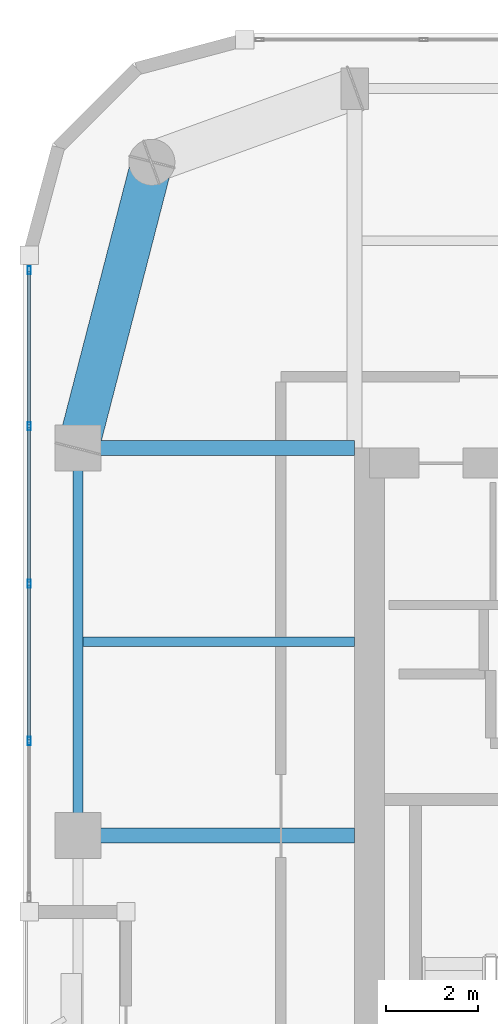
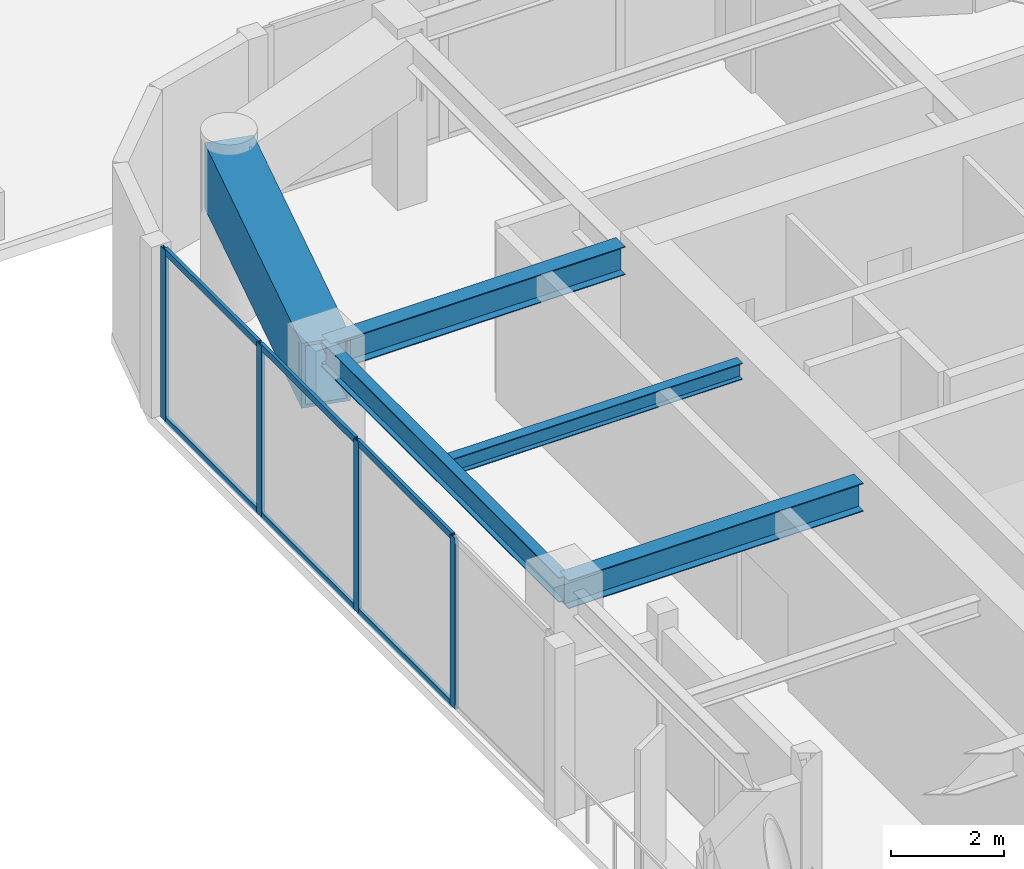
# One storey, part 4 of 16: 10 members, 5 beams, 1 element without a shape of its own.
"""IFC4 building model written with IfcOpenShell, lengths in metres."""

from ifc_helpers import new_model, si_unit, direction, frame, origin, origin_2d, place, context, subcontext, project, spatial, hollow_rectangle, i_section, extrude, material, layer, layer_set, material_profile, profile_set, type_object, element, aggregate, save


model = new_model("IFC4")

# Units and contexts
model_context = context("Model", 3, precision=1e-05, world=origin(), true_north=direction((0.0, 1.0)))
body_context = subcontext(model_context, "Body", "Model", "MODEL_VIEW")
ifc_project = project(units=[si_unit("LENGTHUNIT", "METRE"), si_unit("AREAUNIT", "SQUARE_METRE"), si_unit("VOLUMEUNIT", "CUBIC_METRE"), si_unit("PLANEANGLEUNIT", "RADIAN"), si_unit("MASSUNIT", "GRAM", prefix="KILO")], contexts=[model_context])

# Site, building, storey
site_placement = place(None, origin())
site = spatial("IfcSite", under=ifc_project, at=site_placement, CompositionType="ELEMENT")
building_placement = place(site_placement, origin())
building = spatial("IfcBuilding", under=site, at=building_placement, Name="Kiyonajd Concourse Tower", CompositionType="ELEMENT")
storey_placement = place(building_placement, frame((0.0, 0.0, 255.0)))
storey = spatial("IfcBuildingStorey", under=building, at=storey_placement, Name="L64", CompositionType="ELEMENT", Elevation=255.0)

# Beams
ifc_material_1 = material(Name="Steel ASTM A992 Grade 50", Category="steel")
ifc_material_profile_1 = material_profile(ifc_material_1, i_section(OverallWidth=0.205078125, OverallDepth=0.35400390625, WebThickness=0.009521484375, FlangeThickness=0.016845703125, at=origin_2d()), Name="W360X79")
ifc_profile_set_1 = profile_set([ifc_material_profile_1], Name="Steel ASTM A992 Grade 50")
beam_type_1 = type_object("IfcBeamType", Name="BM-JST-360", PredefinedType="JOIST", material=ifc_profile_set_1)
beam_1_placement = place(storey_placement, frame((26.505615234375, 40.199951171875, 3.5029296875), z_axis=(1.0, 0.0, 0.0), x_axis=(0.0, 1.0, 0.0)))
element("IfcBeam", 1, at=beam_1_placement, inside=storey, type_object=beam_type_1, Name="L64 West Secondary Floor Joist", PredefinedType="JOIST", context=body_context, shape_type="SweptSolid", body=[
    extrude(i_section(OverallWidth=0.205078125, OverallDepth=0.35400390625, WebThickness=0.009521484375, FlangeThickness=0.016845703125, at=origin_2d()), origin(), (0.0, 0.0, 1.0), 5.894287109375),
])
ifc_material_profile_2 = material_profile(ifc_material_1, i_section(OverallWidth=0.2109375, OverallDepth=0.5390625, WebThickness=0.01171875, FlangeThickness=0.018798828125, at=origin_2d()), Name="W530X109")
ifc_profile_set_2 = profile_set([ifc_material_profile_2], Name="Steel ASTM A992 Grade 50")
beam_type_2 = type_object("IfcBeamType", Name="BM-SPAN-530B", PredefinedType="SPANDREL", material=ifc_profile_set_2)
beam_2_placement = place(storey_placement, frame((26.39990234375, 44.39990234375, 3.410400390625), z_axis=(0.0, -1.0, 0.0), x_axis=(1.0, 0.0, 0.0)))
element("IfcBeam", 2, at=beam_2_placement, inside=storey, type_object=beam_type_2, Name="L64 Perimeter Bundled Tube Spandrel", PredefinedType="SPANDREL", context=body_context, shape_type="SweptSolid", body=[
    extrude(i_section(OverallWidth=0.2109375, OverallDepth=0.5390625, WebThickness=0.01171875, FlangeThickness=0.018798828125, at=origin_2d()), origin(), (0.0, 0.0, 1.0), 8.39990234375),
])
ifc_material_profile_3 = material_profile(ifc_material_1, i_section(OverallWidth=0.323974609375, OverallDepth=0.611083984375, WebThickness=0.0126953125, FlangeThickness=0.01904296875, at=origin_2d()), Name="W610X155")
ifc_profile_set_3 = profile_set([ifc_material_profile_3], Name="Steel ASTM A992 Grade 50")
beam_type_3 = type_object("IfcBeamType", Name="BM-TWR-610B", PredefinedType="BEAM", material=ifc_profile_set_3)
for number, where, z_axis, x_axis, name in (
    (3, (26.39990234375, 36.0, 3.37451171875), (1.0, 0.0, 0.0), (0.0, 1.0, 0.0), "L64 West Lease Girder"),
    (4, (26.39990234375, 44.39990234375, 3.37451171875), (1.0, 0.0, 0.0), (0.0, 1.0, 0.0), "L64 West Lease Girder"),
):
    element("IfcBeam", number, at=place(storey_placement, frame(where, z_axis=z_axis, x_axis=x_axis)), inside=storey, type_object=beam_type_3, Name=name, PredefinedType="BEAM", context=body_context, shape_type="SweptSolid", body=[
        extrude(i_section(OverallWidth=0.323974609375, OverallDepth=0.611083984375, WebThickness=0.0126953125, FlangeThickness=0.01904296875, at=origin_2d()), origin(), (0.0, 0.0, 1.0), 6.0),
    ])
ifc_material_2 = material(Name="Steel ASTM A572 Grade 50", Category="steel")
ifc_material_profile_4 = material_profile(ifc_material_2, hollow_rectangle(XDim=0.89990234375, YDim=1.39990234375, WallThickness=0.070068359375, at=origin_2d()), Name="BOX-1400x900x70")
ifc_profile_set_4 = profile_set([ifc_material_profile_4], Name="Steel ASTM A572 Grade 50")
beam_type_4 = type_object("IfcBeamType", Name="BM-XFER-1400", PredefinedType="BEAM", material=ifc_profile_set_4)
beam_3_placement = place(storey_placement, frame((28.0, 50.60009765625, 2.97998046875), z_axis=(-0.249884937687, -0.968275538221, 0.0), x_axis=(0.968275538221, -0.249884937687, 0.0)))
element("IfcBeam", 5, at=beam_3_placement, inside=storey, type_object=beam_type_4, Name="L64 Perimeter Bundled Tube Spandrel", PredefinedType="BEAM", context=body_context, shape_type="SweptSolid", body=[
    extrude(hollow_rectangle(XDim=0.89990234375, YDim=1.39990234375, WallThickness=0.070068359375, at=origin_2d()), origin(), (0.0, 0.0, 1.0), 6.4033203125),
])

# Curtain wall, members
ifc_material_3 = material(Name="Thermally Broken Anodised Aluminium", Category="aluminium")
ifc_layer = layer(ifc_material_3, 0.179931640625)
ifc_layer_set = layer_set([ifc_layer], Name="Thermally Broken Anodised Aluminium")
curtain_wall_type = type_object("IfcCurtainWallType", Name="CW-SYS-04", PredefinedType="NOTDEFINED", material=ifc_layer_set)
curtain_wall_placement = place(storey_placement, origin())
curtain_wall = element("IfcCurtainWall", 6, at=curtain_wall_placement, inside=storey, type_object=curtain_wall_type, Name="L64 Unitised Curtain Wall CW4", PredefinedType="NOTDEFINED")
ifc_material_profile_5 = material_profile(ifc_material_3, hollow_rectangle(XDim=0.06494140625, YDim=0.179931640625, WallThickness=0.00390625, at=origin_2d()), Name="MULL-65x180")
ifc_profile_set_5 = profile_set([ifc_material_profile_5], Name="Thermally Broken Anodised Aluminium")
member_type_1 = type_object("IfcMemberType", Name="MB-CW-MULL1", PredefinedType="MULLION", material=ifc_profile_set_5)
member_1_placement = place(storey_placement, frame((25.340087890625, 38.04541015625, 0.0), z_axis=(0.0, 0.0, 1.0), x_axis=(-1.0, 0.0, 0.0)))
member_1 = element("IfcMember", 7, at=member_1_placement, type_object=member_type_1, Name="CW4 mullion 2", PredefinedType="MULLION", context=body_context, shape_type="SweptSolid", body=[
    extrude(hollow_rectangle(XDim=0.06494140625, YDim=0.179931640625, WallThickness=0.00390625, at=origin_2d()), origin(), (0.0, 0.0, 1.0), 3.679931640625),
])
member_2_placement = place(storey_placement, frame((25.340087890625, 41.460693359375, 0.0), z_axis=(0.0, 0.0, 1.0), x_axis=(-1.0, 0.0, 0.0)))
member_2 = element("IfcMember", 8, at=member_2_placement, type_object=member_type_1, Name="CW4 mullion 3", PredefinedType="MULLION", context=body_context, shape_type="SweptSolid", body=[
    extrude(hollow_rectangle(XDim=0.06494140625, YDim=0.179931640625, WallThickness=0.00390625, at=origin_2d()), origin(), (0.0, 0.0, 1.0), 3.679931640625),
])
member_3_placement = place(storey_placement, frame((25.340087890625, 44.876220703125, 0.0), z_axis=(0.0, 0.0, 1.0), x_axis=(-1.0, 0.0, 0.0)))
member_3 = element("IfcMember", 9, at=member_3_placement, type_object=member_type_1, Name="CW4 mullion 4", PredefinedType="MULLION", context=body_context, shape_type="SweptSolid", body=[
    extrude(hollow_rectangle(XDim=0.06494140625, YDim=0.179931640625, WallThickness=0.00390625, at=origin_2d()), origin(), (0.0, 0.0, 1.0), 3.679931640625),
])
member_4_placement = place(storey_placement, frame((25.340087890625, 48.259033203125, 0.0), z_axis=(0.0, 0.0, 1.0), x_axis=(-1.0, 0.0, 0.0)))
member_4 = element("IfcMember", 10, at=member_4_placement, type_object=member_type_1, Name="CW4 mullion 5", PredefinedType="MULLION", context=body_context, shape_type="SweptSolid", body=[
    extrude(hollow_rectangle(XDim=0.06494140625, YDim=0.179931640625, WallThickness=0.00390625, at=origin_2d()), origin(), (0.0, 0.0, 1.0), 3.679931640625),
])
ifc_material_profile_6 = material_profile(ifc_material_3, hollow_rectangle(XDim=0.06494140625, YDim=0.139892578125, WallThickness=0.00390625, at=origin_2d()), Name="TRAN-65x140")
ifc_profile_set_6 = profile_set([ifc_material_profile_6], Name="Thermally Broken Anodised Aluminium")
member_type_2 = type_object("IfcMemberType", Name="MB-CW-TRAN1", PredefinedType="USERDEFINED", material=ifc_profile_set_6)
member_5_placement = place(storey_placement, frame((25.340087890625, 38.077880859375, 0.032470703125), z_axis=(0.0, 1.0, 0.0), x_axis=(-1.0, 0.0, 0.0)))
member_5 = element("IfcMember", 11, at=member_5_placement, type_object=member_type_2, Name="CW4 transom 2.1", ObjectType="TRANSOM", PredefinedType="USERDEFINED", context=body_context, shape_type="SweptSolid", body=[
    extrude(hollow_rectangle(XDim=0.06494140625, YDim=0.139892578125, WallThickness=0.00390625, at=origin_2d()), origin(), (0.0, 0.0, 1.0), 3.350341796875),
])
member_6_placement = place(storey_placement, frame((25.340087890625, 38.077880859375, 3.6474609375), z_axis=(0.0, 1.0, 0.0), x_axis=(-1.0, 0.0, 0.0)))
member_6 = element("IfcMember", 12, at=member_6_placement, type_object=member_type_2, Name="CW4 transom 2.2", ObjectType="TRANSOM", PredefinedType="USERDEFINED", context=body_context, shape_type="SweptSolid", body=[
    extrude(hollow_rectangle(XDim=0.06494140625, YDim=0.139892578125, WallThickness=0.00390625, at=origin_2d()), origin(), (0.0, 0.0, 1.0), 3.350341796875),
])
member_7_placement = place(storey_placement, frame((25.340087890625, 41.493408203125, 0.032470703125), z_axis=(0.0, 1.0, 0.0), x_axis=(-1.0, 0.0, 0.0)))
member_7 = element("IfcMember", 13, at=member_7_placement, type_object=member_type_2, Name="CW4 transom 3.1", ObjectType="TRANSOM", PredefinedType="USERDEFINED", context=body_context, shape_type="SweptSolid", body=[
    extrude(hollow_rectangle(XDim=0.06494140625, YDim=0.139892578125, WallThickness=0.00390625, at=origin_2d()), origin(), (0.0, 0.0, 1.0), 3.350341796875),
])
member_8_placement = place(storey_placement, frame((25.340087890625, 41.493408203125, 3.6474609375), z_axis=(0.0, 1.0, 0.0), x_axis=(-1.0, 0.0, 0.0)))
member_8 = element("IfcMember", 14, at=member_8_placement, type_object=member_type_2, Name="CW4 transom 3.2", ObjectType="TRANSOM", PredefinedType="USERDEFINED", context=body_context, shape_type="SweptSolid", body=[
    extrude(hollow_rectangle(XDim=0.06494140625, YDim=0.139892578125, WallThickness=0.00390625, at=origin_2d()), origin(), (0.0, 0.0, 1.0), 3.350341796875),
])
member_9_placement = place(storey_placement, frame((25.340087890625, 44.90869140625, 0.032470703125), z_axis=(0.0, 1.0, 0.0), x_axis=(-1.0, 0.0, 0.0)))
member_9 = element("IfcMember", 15, at=member_9_placement, type_object=member_type_2, Name="CW4 transom 4.1", ObjectType="TRANSOM", PredefinedType="USERDEFINED", context=body_context, shape_type="SweptSolid", body=[
    extrude(hollow_rectangle(XDim=0.06494140625, YDim=0.139892578125, WallThickness=0.00390625, at=origin_2d()), origin(), (0.0, 0.0, 1.0), 3.31787109375),
])
member_10_placement = place(storey_placement, frame((25.340087890625, 44.90869140625, 3.6474609375), z_axis=(0.0, 1.0, 0.0), x_axis=(-1.0, 0.0, 0.0)))
member_10 = element("IfcMember", 16, at=member_10_placement, type_object=member_type_2, Name="CW4 transom 4.2", ObjectType="TRANSOM", PredefinedType="USERDEFINED", context=body_context, shape_type="SweptSolid", body=[
    extrude(hollow_rectangle(XDim=0.06494140625, YDim=0.139892578125, WallThickness=0.00390625, at=origin_2d()), origin(), (0.0, 0.0, 1.0), 3.31787109375),
])
aggregate(curtain_wall, [member_1, member_2, member_3, member_4, member_5, member_6, member_7, member_8, member_9, member_10])

save(model, "model.ifc")
